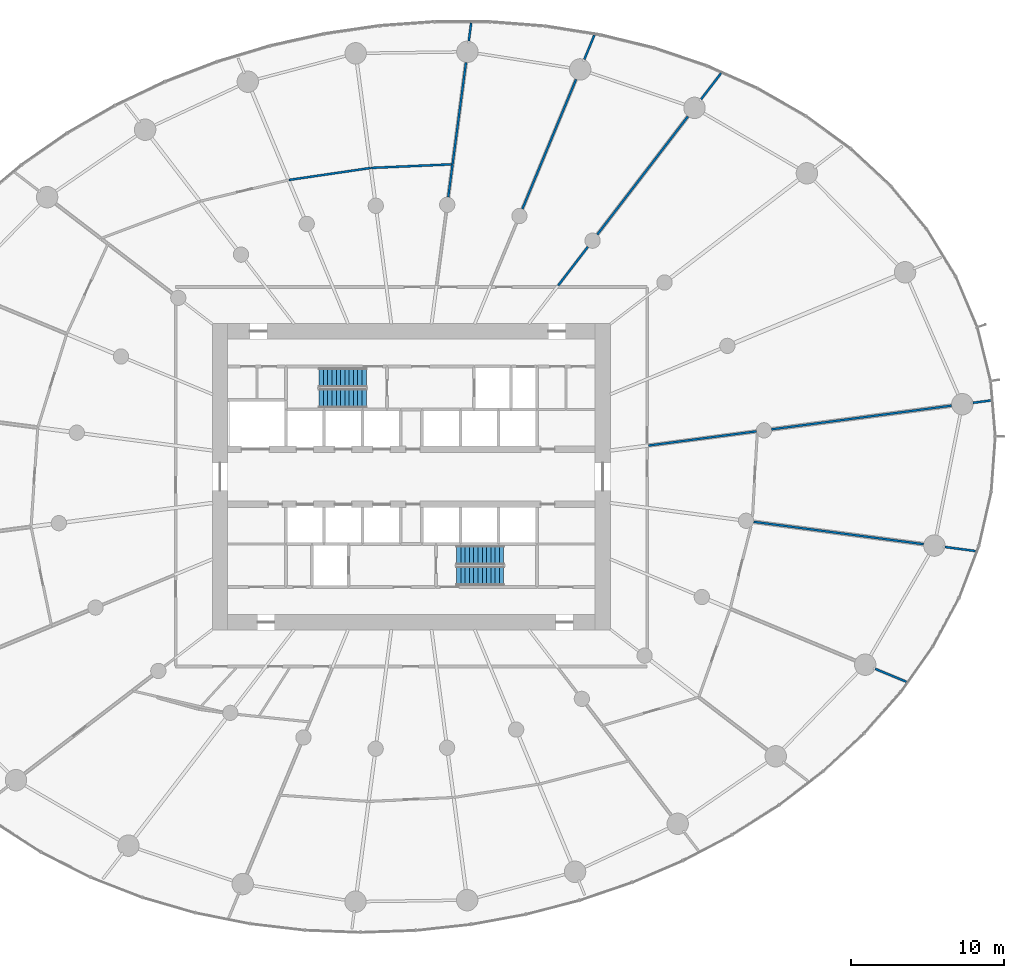
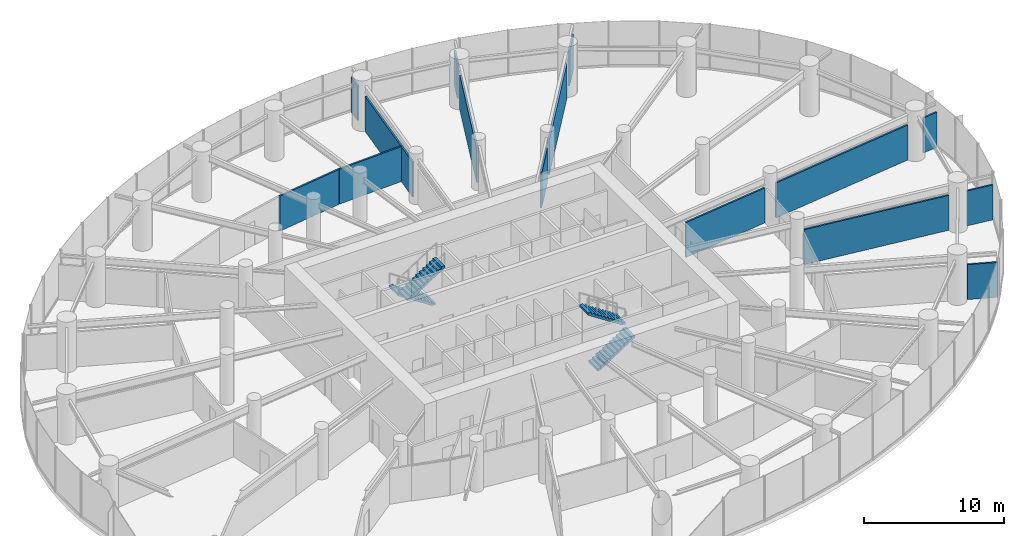
# One storey, part 16 of 19: 16 walls, 4 stair flights, 2 elements without a shape of their own.
"""IFC4 building model written with IfcOpenShell, lengths in metres."""

from ifc_helpers import new_model, si_unit, direction, frame, frame_2d, origin, place, context, subcontext, project, spatial, line, indexed_curve, rectangle, outline, extrude, material, layer, layer_set, type_object, element, aggregate, save


model = new_model("IFC4")

# Units and contexts
model_context = context("Model", 3, precision=1e-05, world=origin(), true_north=direction((0.0, 1.0)))
body_context = subcontext(model_context, "Body", "Model", "MODEL_VIEW")
ifc_project = project(units=[si_unit("LENGTHUNIT", "METRE"), si_unit("AREAUNIT", "SQUARE_METRE"), si_unit("VOLUMEUNIT", "CUBIC_METRE"), si_unit("PLANEANGLEUNIT", "RADIAN"), si_unit("MASSUNIT", "GRAM", prefix="KILO")], contexts=[model_context])

# Site, building, storey
site_placement = place(None, origin())
site = spatial("IfcSite", under=ifc_project, at=site_placement, CompositionType="ELEMENT")
building_placement = place(site_placement, origin())
building = spatial("IfcBuilding", under=site, at=building_placement, Name="Spindrift Exchange Tower", CompositionType="ELEMENT")
storey_placement = place(building_placement, frame((0.0, 0.0, 49.0)))
storey = spatial("IfcBuildingStorey", under=building, at=storey_placement, Name="L11", CompositionType="ELEMENT", Elevation=49.0)

# Walls
ifc_material_1 = material(Name="Fire-rated plasterboard partition", Category="gypsum")
ifc_layer_1 = layer(ifc_material_1, 0.139892578125)
ifc_layer_set_1 = layer_set([ifc_layer_1], Name="W-PART-140")
wall_type_1 = type_object("IfcWallType", Name="W-PART-140", PredefinedType="PARTITIONING", material=ifc_layer_set_1)
wall_1_placement = place(storey_placement, frame((75.533935546875, 51.098388671875, 0.0), z_axis=(0.0, 0.0, 1.0), x_axis=(0.991446586451, 0.130513088287, 0.0)))
element("IfcWall", 1, at=wall_1_placement, inside=storey, type_object=wall_type_1, Name="L11 Partition wall 65", PredefinedType="PARTITIONING", context=body_context, shape_type="SweptSolid", body=[
    extrude(rectangle(XDim=11.85986328125, YDim=0.139892578125, at=frame_2d((5.929931640625, 0.0))), origin(), (0.0, 0.0, 1.0), 3.050048828125),
])
wall_2_placement = place(storey_placement, frame((74.36328125, 45.055908203125, 0.0), z_axis=(0.0, 0.0, 1.0), x_axis=(0.991443306772, -0.130538000051, 0.0)))
element("IfcWall", 2, at=wall_2_placement, inside=storey, type_object=wall_type_1, Name="L11 Partition wall 66", PredefinedType="PARTITIONING", context=body_context, shape_type="SweptSolid", body=[
    extrude(rectangle(XDim=11.1953125, YDim=0.139892578125, at=frame_2d((5.59765625, 0.0))), origin(), (0.0, 0.0, 1.0), 3.050048828125),
])
wall_3_placement = place(storey_placement, frame((64.14208984375, 63.823974609375, 0.0), z_axis=(0.0, 0.0, 1.0), x_axis=(0.608770295053, 0.793346537057, 0.0)))
element("IfcWall", 3, at=wall_3_placement, inside=storey, type_object=wall_type_1, Name="L11 Partition wall 68", PredefinedType="PARTITIONING", context=body_context, shape_type="SweptSolid", body=[
    extrude(rectangle(XDim=9.727294921875, YDim=0.139892578125, at=frame_2d((4.86376953125, 0.0))), origin(), (0.0, 0.0, 1.0), 3.050048828125),
])
wall_4_placement = place(storey_placement, frame((67.489990234375, 50.039306640625, 0.0), z_axis=(0.0, 0.0, 1.0), x_axis=(0.99144622305, 0.130515848849, 0.0)))
element("IfcWall", 4, at=wall_4_placement, inside=storey, type_object=wall_type_1, Name="L11 Partition wall 74", PredefinedType="PARTITIONING", context=body_context, shape_type="SweptSolid", body=[
    extrude(rectangle(XDim=7.1044921875, YDim=0.139892578125, at=frame_2d((3.55224609375, 0.0))), origin(), (0.0, 0.0, 1.0), 3.050048828125),
])
wall_5_placement = place(storey_placement, frame((49.343994140625, 68.174560546875, 0.0), z_axis=(0.0, 0.0, 1.0), x_axis=(-0.989377499091, -0.145369062366, 0.0)))
element("IfcWall", 5, at=wall_5_placement, inside=storey, type_object=wall_type_1, Name="L11 Partition wall 93", PredefinedType="PARTITIONING", context=body_context, shape_type="SweptSolid", body=[
    extrude(rectangle(XDim=5.401123046875, YDim=0.139892578125, at=frame_2d((2.70068359375, 0.0))), origin(), (0.0, 0.0, 1.0), 3.050048828125),
])
wall_6_placement = place(storey_placement, frame((54.6572265625, 68.409423828125, 0.0), z_axis=(0.0, 0.0, 1.0), x_axis=(-0.999023656057, -0.044178440869, 0.0)))
element("IfcWall", 6, at=wall_6_placement, inside=storey, type_object=wall_type_1, Name="L11 Partition wall 95", PredefinedType="PARTITIONING", context=body_context, shape_type="SweptSolid", body=[
    extrude(rectangle(XDim=5.28857421875, YDim=0.139892578125, at=frame_2d((2.644287109375, 0.0))), origin(), (0.0, 0.0, 1.0), 3.050048828125),
])
wall_7_placement = place(storey_placement, frame((61.583984375, 60.489990234375, 0.0), z_axis=(0.0, 0.0, 1.0), x_axis=(0.60874605662, 0.793365135703, 0.0)))
element("IfcWall", 7, at=wall_7_placement, inside=storey, type_object=wall_type_1, Name="L11 Partition wall 107", PredefinedType="PARTITIONING", context=body_context, shape_type="SweptSolid", body=[
    extrude(rectangle(XDim=3.193603515625, YDim=0.139892578125, at=frame_2d((1.5966796875, 0.0))), origin(), (0.0, 0.0, 1.0), 3.050048828125),
])
wall_8_placement = place(storey_placement, frame((82.2958984375, 35.450927734375, 0.0), z_axis=(0.0, 0.0, 1.0), x_axis=(0.923899948789, -0.382634139392, 0.0)))
element("IfcWall", 8, at=wall_8_placement, inside=storey, type_object=wall_type_1, Name="L11 Partition wall 112", PredefinedType="PARTITIONING", context=body_context, shape_type="SweptSolid", body=[
    extrude(rectangle(XDim=2.214599609375, YDim=0.139892578125, at=frame_2d((1.107421875, 0.0))), origin(), (0.0, 0.0, 1.0), 3.050048828125),
])
wall_9_placement = place(storey_placement, frame((70.9208984375, 72.658447265625, 0.0), z_axis=(0.0, 0.0, 1.0), x_axis=(0.608822106268, 0.793306777306, 0.0)))
element("IfcWall", 9, at=wall_9_placement, inside=storey, type_object=wall_type_1, Name="L11 Partition wall 117", PredefinedType="PARTITIONING", context=body_context, shape_type="SweptSolid", body=[
    extrude(rectangle(XDim=2.15185546875, YDim=0.139892578125, at=frame_2d((1.075927734375, 0.0))), origin(), (0.0, 0.0, 1.0), 3.050048828125),
])
wall_10_placement = place(storey_placement, frame((86.859375, 43.41064453125, 0.0), z_axis=(0.0, 0.0, 1.0), x_axis=(0.991443960057, -0.130533038219, 0.0)))
element("IfcWall", 10, at=wall_10_placement, inside=storey, type_object=wall_type_1, Name="L11 Partition wall 119", PredefinedType="PARTITIONING", context=body_context, shape_type="SweptSolid", body=[
    extrude(rectangle(XDim=2.010498046875, YDim=0.139892578125, at=frame_2d((1.00537109375, 0.0))), origin(), (0.0, 0.0, 1.0), 3.050048828125),
])
wall_11_placement = place(storey_placement, frame((88.688720703125, 52.830078125, 0.0), z_axis=(0.0, 0.0, 1.0), x_axis=(0.991424298155, 0.130682290411, 0.0)))
element("IfcWall", 11, at=wall_11_placement, inside=storey, type_object=wall_type_1, Name="L11 Partition wall 130", PredefinedType="PARTITIONING", context=body_context, shape_type="SweptSolid", body=[
    extrude(rectangle(XDim=1.219970703125, YDim=0.139892578125, at=frame_2d((0.60986328125, 0.0))), origin(), (0.0, 0.0, 1.0), 3.050048828125),
])
ifc_layer_2 = layer(ifc_material_1, 0.139892578125)
ifc_layer_set_2 = layer_set([ifc_layer_2], Name="W-PLANT-140")
wall_type_2 = type_object("IfcWallType", Name="W-PLANT-140", PredefinedType="PARTITIONING", material=ifc_layer_set_2)
wall_12_placement = place(storey_placement, frame((59.247802734375, 65.497802734375, 0.0), z_axis=(0.0, 0.0, 1.0), x_axis=(0.382672728165, 0.923883966264, 0.0)))
element("IfcWall", 12, at=wall_12_placement, inside=storey, type_object=wall_type_2, Name="L11 Partition wall 69", PredefinedType="PARTITIONING", context=body_context, shape_type="SweptSolid", body=[
    extrude(rectangle(XDim=9.15966796875, YDim=0.139892578125, at=frame_2d((4.579833984375, 0.0))), origin(), (0.0, 0.0, 1.0), 3.050048828125),
])
wall_13_placement = place(storey_placement, frame((54.68701171875, 68.41064453125, 0.0), z_axis=(0.0, 0.0, 1.0), x_axis=(0.130547690074, 0.99144203089, 0.0)))
element("IfcWall", 13, at=wall_13_placement, inside=storey, type_object=wall_type_2, Name="L11 Partition wall 77", PredefinedType="PARTITIONING", context=body_context, shape_type="SweptSolid", body=[
    extrude(rectangle(XDim=6.7099609375, YDim=0.139892578125, at=frame_2d((3.35498046875, 0.0))), origin(), (0.0, 0.0, 1.0), 3.050048828125),
])
wall_14_placement = place(storey_placement, frame((54.405029296875, 66.267333984375, 0.0), z_axis=(0.0, 0.0, 1.0), x_axis=(0.130430814721, 0.991457413393, 0.0)))
element("IfcWall", 14, at=wall_14_placement, inside=storey, type_object=wall_type_2, Name="L11 Partition wall 115", PredefinedType="PARTITIONING", context=body_context, shape_type="SweptSolid", body=[
    extrude(rectangle(XDim=2.132080078125, YDim=0.139892578125, at=frame_2d((1.06591796875, 0.0))), origin(), (0.0, 0.0, 1.0), 3.050048828125),
])
wall_15_placement = place(storey_placement, frame((63.29248046875, 75.2626953125, 0.0), z_axis=(0.0, 0.0, 1.0), x_axis=(0.382632674553, 0.923900555452, 0.0)))
element("IfcWall", 15, at=wall_15_placement, inside=storey, type_object=wall_type_2, Name="L11 Partition wall 126", PredefinedType="PARTITIONING", context=body_context, shape_type="SweptSolid", body=[
    extrude(rectangle(XDim=1.71435546875, YDim=0.139892578125, at=frame_2d((0.857177734375, 0.0))), origin(), (0.0, 0.0, 1.0), 3.050048828125),
])
wall_16_placement = place(storey_placement, frame((55.746826171875, 76.459716796875, 0.0), z_axis=(0.0, 0.0, 1.0), x_axis=(0.130449264586, 0.991454986053, 0.0)))
element("IfcWall", 16, at=wall_16_placement, inside=storey, type_object=wall_type_2, Name="L11 Partition wall 132", PredefinedType="PARTITIONING", context=body_context, shape_type="SweptSolid", body=[
    extrude(rectangle(XDim=1.203369140625, YDim=0.139892578125, at=frame_2d((0.6015625, 0.0))), origin(), (0.0, 0.0, 1.0), 3.050048828125),
])

# Stair, stair flights
ifc_material_2 = material(Name="Concrete 50 MPa", Category="concrete")
stair_type = type_object("IfcStairType", Name="ST-1250-R183", PredefinedType="HALF_TURN_STAIR", material=ifc_material_2)
stair_1_placement = place(storey_placement, origin())
stair_1 = element("IfcStair", 17, at=stair_1_placement, inside=storey, type_object=stair_type, Name="L11 Exit stair ST1", PredefinedType="HALF_TURN_STAIR")
stair_flight_type = type_object("IfcStairFlightType", Name="STF-1250-R183", PredefinedType="STRAIGHT", material=ifc_material_2)
stair_flight_1_placement = place(storey_placement, frame((49.050048828125, 54.47509765625, 0.0), z_axis=(0.0, 0.0, 1.0), x_axis=(-1.0, 0.0, 0.0)))
stair_flight_1 = element("IfcStairFlight", 18, at=stair_flight_1_placement, type_object=stair_flight_type, Name="ST1 flight 1", NumberOfRisers=12, NumberOfTreads=11, PredefinedType="STRAIGHT", RiserHeight=0.183333333, TreadLength=0.28, context=body_context, shape_type="SweptSolid", body=[
    extrude(outline(indexed_curve([(0.0, 0.0), (0.0, 0.18359375), (0.2802734375, 0.18359375), (0.2802734375, 0.3662109375), (0.5595703125, 0.3662109375), (0.5595703125, 0.5498046875), (0.83984375, 0.5498046875), (0.83984375, 0.7333984375), (1.1201171875, 0.7333984375), (1.1201171875, 0.9169921875), (1.400390625, 0.9169921875), (1.400390625, 1.099609375), (1.6796875, 1.099609375), (1.6796875, 1.283203125), (1.9599609375, 1.283203125), (1.9599609375, 1.466796875), (2.240234375, 1.466796875), (2.240234375, 1.650390625), (2.51953125, 1.650390625), (2.51953125, 1.8330078125), (2.7998046875, 1.8330078125), (2.7998046875, 2.0166015625), (3.080078125, 2.0166015625), (3.080078125, 2.2001953125), (3.080078125, 1.837890625), (0.2734375, 0.0)], segments=[line(1, 2, 3, 4, 5, 6, 7, 8, 9, 10, 11, 12, 13, 14, 15, 16, 17, 18, 19, 20, 21, 22, 23, 24, 25, 26, 1)], self_intersect=False)), frame((0.0, 0.625, 0.0), z_axis=(0.0, -1.0, 0.0), x_axis=(1.0, 0.0, 0.0)), (0.0, 0.0, 1.0), 1.25),
])
stair_flight_2_placement = place(storey_placement, frame((45.969970703125, 53.125, 2.199951171875), z_axis=(0.0, 0.0, 1.0), x_axis=(1.0, 0.0, 0.0)))
stair_flight_2 = element("IfcStairFlight", 19, at=stair_flight_2_placement, type_object=stair_flight_type, Name="ST1 flight 2", NumberOfRisers=12, NumberOfTreads=11, PredefinedType="STRAIGHT", RiserHeight=0.183333333, TreadLength=0.28, context=body_context, shape_type="SweptSolid", body=[
    extrude(outline(indexed_curve([(0.0, 0.0), (0.0, 0.18359375), (0.2802734375, 0.18359375), (0.2802734375, 0.3662109375), (0.5595703125, 0.3662109375), (0.5595703125, 0.5498046875), (0.83984375, 0.5498046875), (0.83984375, 0.7333984375), (1.1201171875, 0.7333984375), (1.1201171875, 0.9169921875), (1.400390625, 0.9169921875), (1.400390625, 1.099609375), (1.6796875, 1.099609375), (1.6796875, 1.283203125), (1.9599609375, 1.283203125), (1.9599609375, 1.466796875), (2.240234375, 1.466796875), (2.240234375, 1.650390625), (2.51953125, 1.650390625), (2.51953125, 1.8330078125), (2.7998046875, 1.8330078125), (2.7998046875, 2.0166015625), (3.080078125, 2.0166015625), (3.080078125, 2.2001953125), (3.080078125, 1.837890625), (0.2734375, 0.0)], segments=[line(1, 2, 3, 4, 5, 6, 7, 8, 9, 10, 11, 12, 13, 14, 15, 16, 17, 18, 19, 20, 21, 22, 23, 24, 25, 26, 1)], self_intersect=False)), frame((0.0, 0.625, 0.0), z_axis=(0.0, -1.0, 0.0), x_axis=(1.0, 0.0, 0.0)), (0.0, 0.0, 1.0), 1.25),
])
aggregate(stair_1, [stair_flight_1, stair_flight_2])

stair_2_placement = place(storey_placement, origin())
stair_2 = element("IfcStair", 20, at=stair_2_placement, inside=storey, type_object=stair_type, Name="L11 Exit stair ST2", PredefinedType="HALF_TURN_STAIR")
stair_flight_3_placement = place(storey_placement, frame((54.949951171875, 41.52490234375, 0.0), z_axis=(0.0, 0.0, 1.0), x_axis=(1.0, 0.0, 0.0)))
stair_flight_3 = element("IfcStairFlight", 21, at=stair_flight_3_placement, type_object=stair_flight_type, Name="ST2 flight 1", NumberOfRisers=12, NumberOfTreads=11, PredefinedType="STRAIGHT", RiserHeight=0.183333333, TreadLength=0.28, context=body_context, shape_type="SweptSolid", body=[
    extrude(outline(indexed_curve([(0.0, 0.0), (0.0, 0.18359375), (0.2802734375, 0.18359375), (0.2802734375, 0.3662109375), (0.5595703125, 0.3662109375), (0.5595703125, 0.5498046875), (0.83984375, 0.5498046875), (0.83984375, 0.7333984375), (1.1201171875, 0.7333984375), (1.1201171875, 0.9169921875), (1.400390625, 0.9169921875), (1.400390625, 1.099609375), (1.6796875, 1.099609375), (1.6796875, 1.283203125), (1.9599609375, 1.283203125), (1.9599609375, 1.466796875), (2.240234375, 1.466796875), (2.240234375, 1.650390625), (2.51953125, 1.650390625), (2.51953125, 1.8330078125), (2.7998046875, 1.8330078125), (2.7998046875, 2.0166015625), (3.080078125, 2.0166015625), (3.080078125, 2.2001953125), (3.080078125, 1.837890625), (0.2734375, 0.0)], segments=[line(1, 2, 3, 4, 5, 6, 7, 8, 9, 10, 11, 12, 13, 14, 15, 16, 17, 18, 19, 20, 21, 22, 23, 24, 25, 26, 1)], self_intersect=False)), frame((0.0, 0.625, 0.0), z_axis=(0.0, -1.0, 0.0), x_axis=(1.0, 0.0, 0.0)), (0.0, 0.0, 1.0), 1.25),
])
stair_flight_4_placement = place(storey_placement, frame((58.030029296875, 42.875, 2.199951171875), z_axis=(0.0, 0.0, 1.0), x_axis=(-1.0, 0.0, 0.0)))
stair_flight_4 = element("IfcStairFlight", 22, at=stair_flight_4_placement, type_object=stair_flight_type, Name="ST2 flight 2", NumberOfRisers=12, NumberOfTreads=11, PredefinedType="STRAIGHT", RiserHeight=0.183333333, TreadLength=0.28, context=body_context, shape_type="SweptSolid", body=[
    extrude(outline(indexed_curve([(0.0, 0.0), (0.0, 0.18359375), (0.2802734375, 0.18359375), (0.2802734375, 0.3662109375), (0.5595703125, 0.3662109375), (0.5595703125, 0.5498046875), (0.83984375, 0.5498046875), (0.83984375, 0.7333984375), (1.1201171875, 0.7333984375), (1.1201171875, 0.9169921875), (1.400390625, 0.9169921875), (1.400390625, 1.099609375), (1.6796875, 1.099609375), (1.6796875, 1.283203125), (1.9599609375, 1.283203125), (1.9599609375, 1.466796875), (2.240234375, 1.466796875), (2.240234375, 1.650390625), (2.51953125, 1.650390625), (2.51953125, 1.8330078125), (2.7998046875, 1.8330078125), (2.7998046875, 2.0166015625), (3.080078125, 2.0166015625), (3.080078125, 2.2001953125), (3.080078125, 1.837890625), (0.2734375, 0.0)], segments=[line(1, 2, 3, 4, 5, 6, 7, 8, 9, 10, 11, 12, 13, 14, 15, 16, 17, 18, 19, 20, 21, 22, 23, 24, 25, 26, 1)], self_intersect=False)), frame((0.0, 0.625, 0.0), z_axis=(0.0, -1.0, 0.0), x_axis=(1.0, 0.0, 0.0)), (0.0, 0.0, 1.0), 1.25),
])
aggregate(stair_2, [stair_flight_3, stair_flight_4])

save(model, "model.ifc")
